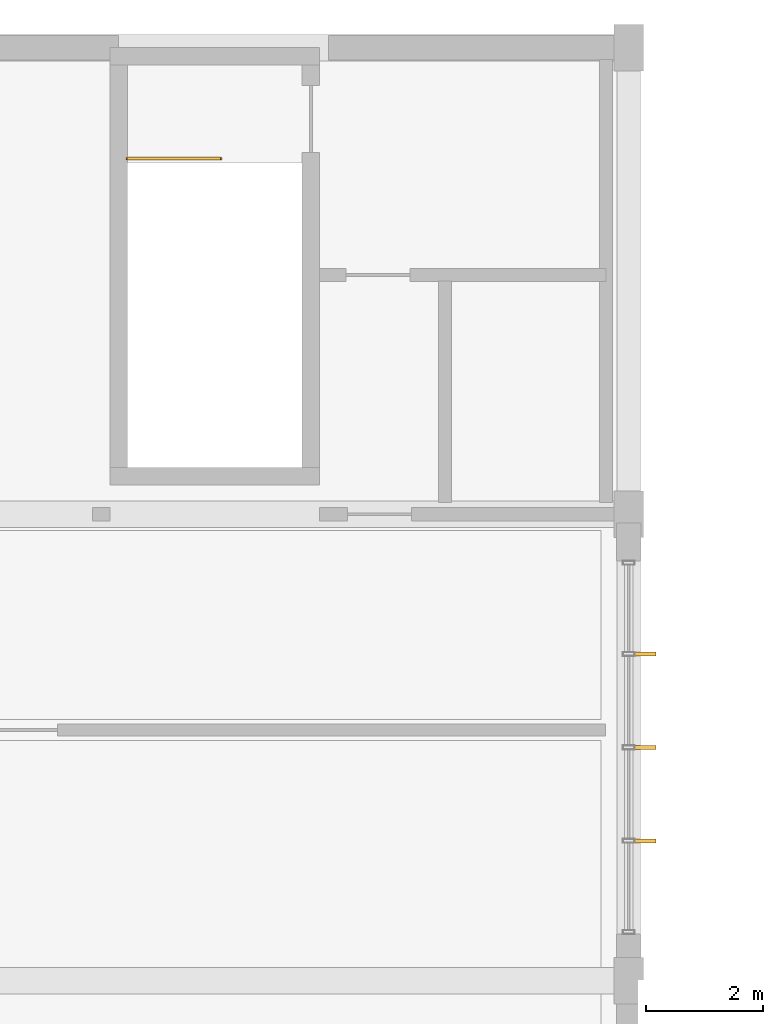
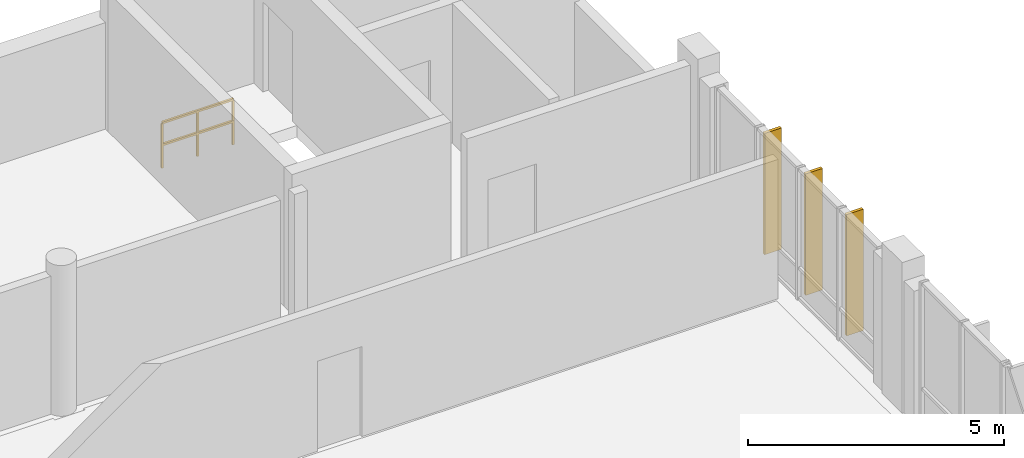
# One storey, part 182 of 189: 3 shading devices, 1 railing.
"""IFC4 building model written with IfcOpenShell, lengths in metres."""

from ifc_helpers import new_model, si_unit, direction, frame, origin, origin_2d, place, context, subcontext, project, spatial, rectangle, extrude, material, type_object, element, save


model = new_model("IFC4")

# Units and contexts
model_context = context("Model", 3, precision=1e-05, world=origin(), true_north=direction((0.0, 1.0)))
body_context = subcontext(model_context, "Body", "Model", "MODEL_VIEW")
ifc_project = project(units=[si_unit("LENGTHUNIT", "METRE"), si_unit("AREAUNIT", "SQUARE_METRE"), si_unit("VOLUMEUNIT", "CUBIC_METRE"), si_unit("PLANEANGLEUNIT", "RADIAN"), si_unit("MASSUNIT", "GRAM", prefix="KILO")], contexts=[model_context])

# Site, building, storey
site_placement = place(None, origin())
site = spatial("IfcSite", under=ifc_project, at=site_placement, CompositionType="ELEMENT")
building_placement = place(site_placement, origin())
building = spatial("IfcBuilding", under=site, at=building_placement, Name="Zavelmont Quarter", CompositionType="ELEMENT")
storey_placement = place(building_placement, frame((0.0, 0.0, 4.39990234375)))
storey = spatial("IfcBuildingStorey", under=building, at=storey_placement, Name="L01", CompositionType="ELEMENT", Elevation=4.39990234375)

# Railing
ifc_material_1 = material(Name="Powder-coated steel stair guardrail", Category="steel")
railing_type = type_object("IfcRailingType", Name="RL-GRD1", PredefinedType="GUARDRAIL", material=ifc_material_1)
railing_placement = place(storey_placement, frame((104.199951171875, 84.10009765625, 0.0)))
element("IfcRailing", 1, at=railing_placement, inside=storey, type_object=railing_type, Name="L01 ST10 top well guardrail 1", PredefinedType="GUARDRAIL", context=body_context, shape_type="SweptSolid", body=[
    extrude(rectangle(XDim=0.048095703125, YDim=0.048095703125, at=origin_2d()), frame((0.0, 0.0, 1.076171875), z_axis=(1.0, 0.0, 0.0), x_axis=(0.0, 1.0, 0.0)), (0.0, 0.0, 1.0), 1.60009765625),
    extrude(rectangle(XDim=0.048095703125, YDim=0.048095703125, at=origin_2d()), frame((0.0, 0.0, 0.550048828125), z_axis=(1.0, 0.0, 0.0), x_axis=(0.0, 1.0, 0.0)), (0.0, 0.0, 1.0), 1.60009765625),
    extrude(rectangle(XDim=0.0419921875, YDim=0.0419921875, at=origin_2d()), origin(), (0.0, 0.0, 1.0), 1.052001953125),
    extrude(rectangle(XDim=0.0419921875, YDim=0.0419921875, at=origin_2d()), frame((0.800048828125, 0.0, 0.0)), (0.0, 0.0, 1.0), 1.052001953125),
    extrude(rectangle(XDim=0.0419921875, YDim=0.0419921875, at=origin_2d()), frame((1.60009765625, 0.0, 0.0)), (0.0, 0.0, 1.0), 1.052001953125),
])

# Shading devices
ifc_material_2 = material(Name="Anodised aluminium EN AW-6063-T6", Category="aluminium")
shading_device_type = type_object("IfcShadingDeviceType", Name="SD05", PredefinedType="JALOUSIE", material=ifc_material_2)
for number, where, z_axis, x_axis, name in (
    (2, (113.080078125, 72.39990234375, 0.050048828125), (0.0, 0.0, 1.0), (0.0, 1.0, 0.0), "L01 solar brise-soleil fin SD05"),
    (3, (113.080078125, 74.0, 0.050048828125), (0.0, 0.0, 1.0), (0.0, 1.0, 0.0), "L01 solar brise-soleil fin SD05"),
    (4, (113.080078125, 75.60009765625, 0.050048828125), (0.0, 0.0, 1.0), (0.0, 1.0, 0.0), "L01 solar brise-soleil fin SD05"),
):
    element("IfcShadingDevice", number, at=place(storey_placement, frame(where, z_axis=z_axis, x_axis=x_axis)), inside=storey, type_object=shading_device_type, Name=name, PredefinedType="JALOUSIE", context=body_context, shape_type="SweptSolid", body=[
        extrude(rectangle(XDim=0.070068359375, YDim=0.3798828125, at=origin_2d()), origin(), (0.0, 0.0, 1.0), 2.89990234375),
    ])

save(model, "model.ifc")
